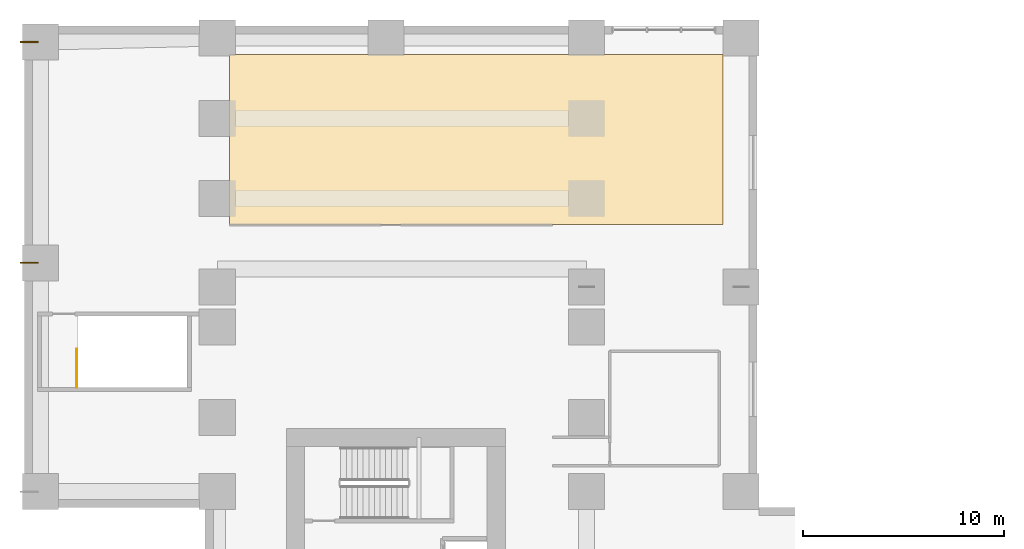
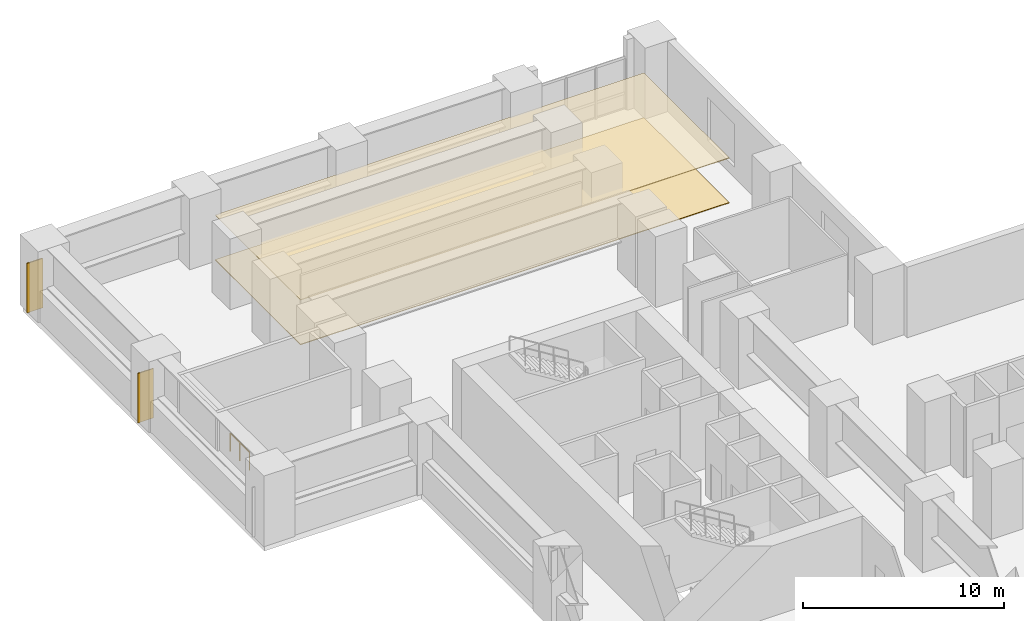
# One storey, part 12 of 12: 4 coverings, 1 railing.
"""IFC4 building model written with IfcOpenShell, lengths in metres."""

from ifc_helpers import new_model, si_unit, direction, frame, origin, origin_2d, place, context, subcontext, project, spatial, polyline, rectangle, circle, outline, extrude, source, transform, mapped, material, layer, layer_set, type_object, element, save


model = new_model("IFC4")

# Units and contexts
model_context = context("Model", 3, precision=1e-05, world=origin(), true_north=direction((0.0, 1.0)))
body_context = subcontext(model_context, "Body", "Model", "MODEL_VIEW")
ifc_project = project(units=[si_unit("LENGTHUNIT", "METRE"), si_unit("AREAUNIT", "SQUARE_METRE"), si_unit("VOLUMEUNIT", "CUBIC_METRE"), si_unit("PLANEANGLEUNIT", "RADIAN"), si_unit("MASSUNIT", "GRAM", prefix="KILO")], contexts=[model_context])

# Site, building, storey
site_placement = place(None, origin())
site = spatial("IfcSite", under=ifc_project, at=site_placement, CompositionType="ELEMENT")
building_placement = place(site_placement, origin())
building = spatial("IfcBuilding", under=site, at=building_placement, Name="Kharzan Plaza Tower", CompositionType="ELEMENT")
storey_placement = place(building_placement, frame((0.0, 0.0, 18.0)))
storey = spatial("IfcBuildingStorey", under=building, at=storey_placement, Name="L04", CompositionType="ELEMENT", Elevation=18.0)

# Coverings
ifc_material_1 = material(Name="Perforated Acoustic Mineral-Fibre Tile", Category="gypsum")
ifc_layer_1 = layer(ifc_material_1, 0.044921875)
ifc_layer_set_1 = layer_set([ifc_layer_1], Name="Perforated Acoustic Mineral-Fibre Tile")
covering_type_1 = type_object("IfcCoveringType", Name="COV-CEIL-ACT", PredefinedType="CEILING", material=ifc_layer_set_1)
covering_1_placement = place(storey_placement, frame((0.0, 0.0, 2.705078125)))
element("IfcCovering", 1, at=covering_1_placement, inside=storey, type_object=covering_type_1, Name="L04 Suspended Acoustic Ceiling DIN1", PredefinedType="CEILING", context=body_context, shape_type="SweptSolid", body=[
    extrude(outline(polyline([(1.2099609375, 40.110107421875), (25.7900390625, 40.110107421875), (25.7900390625, 48.590087890625), (1.2099609375, 48.590087890625), (1.2099609375, 40.110107421875)])), origin(), (0.0, 0.0, 1.0), 0.044921875),
])
ifc_material_2 = material(Name="Honed Najran Granite Terrazzo", Category="masonry")
ifc_layer_2 = layer(ifc_material_2, 0.0400390625)
ifc_layer_set_2 = layer_set([ifc_layer_2], Name="Honed Najran Granite Terrazzo")
covering_type_2 = type_object("IfcCoveringType", Name="COV-FLOOR-STN", PredefinedType="FLOORING", material=ifc_layer_set_2)
covering_2_placement = place(storey_placement, origin())
element("IfcCovering", 2, at=covering_2_placement, inside=storey, type_object=covering_type_2, Name="L04 Honed Granite Terrazzo Flooring DIN1", PredefinedType="FLOORING", context=body_context, shape_type="SweptSolid", body=[
    extrude(outline(polyline([(1.2099609375, 40.110107421875), (25.7900390625, 40.110107421875), (25.7900390625, 48.590087890625), (1.2099609375, 48.590087890625), (1.2099609375, 40.110107421875)])), origin(), (0.0, 0.0, 1.0), 0.0400390625),
])
ifc_material_3 = material(Name="Honed Riyadh Limestone", Category="masonry")
ifc_layer_3 = layer(ifc_material_3, 0.06005859375)
ifc_layer_set_3 = layer_set([ifc_layer_3], Name="Honed Riyadh Limestone")
covering_type_3 = type_object("IfcCoveringType", Name="COV-CLAD-STONE", PredefinedType="CLADDING", material=ifc_layer_set_3)
shared_shape_1 = source(origin(), body_context, "Body", "SweptSolid", [
    extrude(rectangle(XDim=0.06005859375, YDim=0.89990234375, at=origin_2d()), origin(), (0.0, 0.0, 1.0), 3.0),
])
for number, where, z_axis, x_axis, name in (
    (3, (-8.780029296875, 38.199951171875, 0.10009765625), (0.0, 0.0, 1.0), (0.0, 1.0, 0.0), "L04 Limestone Pier Rainscreen Cladding MC02"),
    (4, (-8.780029296875, 49.199951171875, 0.10009765625), (0.0, 0.0, 1.0), (0.0, 1.0, 0.0), "L04 Limestone Pier Rainscreen Cladding MC03"),
):
    element("IfcCovering", number, at=place(storey_placement, frame(where, z_axis=z_axis, x_axis=x_axis)), inside=storey, type_object=covering_type_3, Name=name, PredefinedType="CLADDING", context=body_context, shape_type="MappedRepresentation", body=[
        mapped(shared_shape_1, transform((0.0, 0.0, 0.0), x_axis=(1.0, 0.0, 0.0), y_axis=(0.0, 1.0, 0.0), z_axis=(0.0, 0.0, 1.0))),
    ])

# Railing
ifc_material_4 = material(Name="Painted Galvanized Architectural Steel", Category="steel")
ifc_layer_4 = layer(ifc_material_4, 0.074951171875)
ifc_layer_set_4 = layer_set([ifc_layer_4], Name="Painted Galvanized Architectural Steel")
railing_type = type_object("IfcRailingType", Name="RL-GUARD-1120", PredefinedType="BALUSTRADE", material=ifc_layer_set_4)
shared_shape_2 = source(origin(), body_context, "Body", "SweptSolid", [
    extrude(circle(Radius=0.02392578125, at=origin_2d()), frame((0.0, 0.0263671875, 1.09619140625), z_axis=(0.0, 1.0, 0.0), x_axis=(-1.0, 0.0, 0.0)), (0.0, 0.0, 1.0), 1.846923828125),
    extrude(circle(Radius=0.02099609375, at=origin_2d()), origin(), (0.0, 0.0, 1.0), 1.072021484375),
    extrude(circle(Radius=0.02099609375, at=origin_2d()), frame((0.0, 0.949951171875, 0.0)), (0.0, 0.0, 1.0), 1.072021484375),
    extrude(circle(Radius=0.02099609375, at=origin_2d()), frame((0.0, 1.89990234375, 0.0)), (0.0, 0.0, 1.0), 1.072021484375),
])
railing_placement = place(storey_placement, frame((-6.39990234375, 32.0, 0.0)))
element("IfcRailing", 5, at=railing_placement, inside=storey, type_object=railing_type, Name="L04 ST-4 top well guard 1", PredefinedType="BALUSTRADE", context=body_context, shape_type="MappedRepresentation", body=[
    mapped(shared_shape_2, transform((0.0, 0.0, 0.0), x_axis=(1.0, 0.0, 0.0), y_axis=(0.0, 1.0, 0.0), z_axis=(0.0, 0.0, 1.0))),
])

save(model, "model.ifc")
